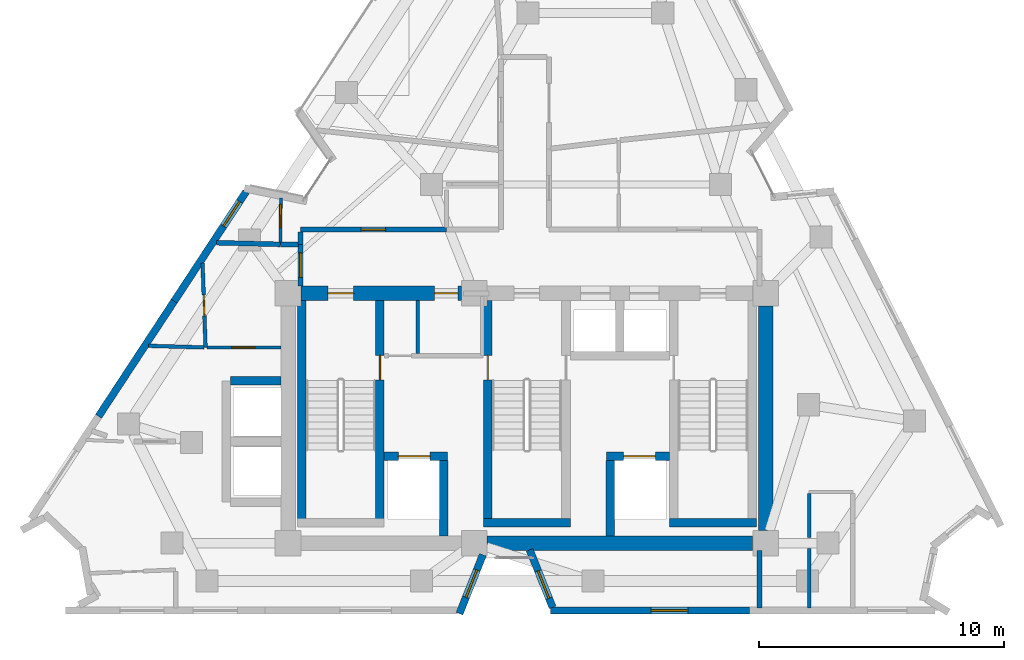
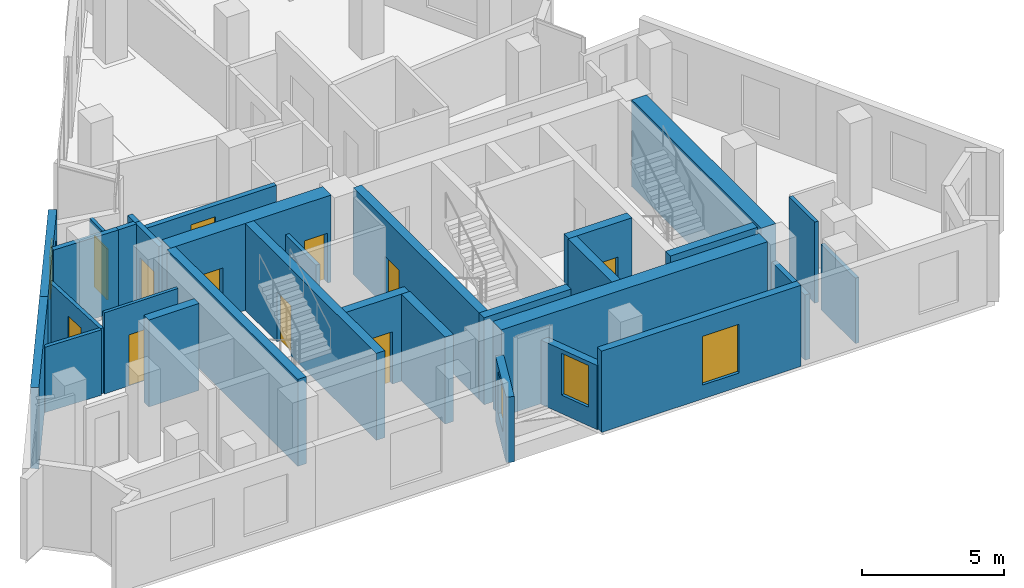
# One storey, part 5 of 8: 31 walls, 11 doors, 4 windows, 15 openings.
"""IFC4 building model written with IfcOpenShell, lengths in metres."""

from ifc_helpers import new_model, si_unit, direction, frame, frame_2d, origin, place, context, subcontext, project, spatial, rectangle, extrude, material, layer, layer_set, type_object, element, fill, save


model = new_model("IFC4")

# Units and contexts
model_context = context("Model", 3, precision=1e-05, world=origin(), true_north=direction((0.0, 1.0)))
body_context = subcontext(model_context, "Body", "Model", "MODEL_VIEW")
ifc_project = project(units=[si_unit("LENGTHUNIT", "METRE"), si_unit("AREAUNIT", "SQUARE_METRE"), si_unit("VOLUMEUNIT", "CUBIC_METRE"), si_unit("PLANEANGLEUNIT", "RADIAN"), si_unit("MASSUNIT", "GRAM", prefix="KILO")], contexts=[model_context])

# Site, building, storey
site_placement = place(None, origin())
site = spatial("IfcSite", under=ifc_project, at=site_placement, CompositionType="ELEMENT")
building_placement = place(site_placement, origin())
building = spatial("IfcBuilding", under=site, at=building_placement, Name="Almagre Mirador Tower", CompositionType="ELEMENT")
storey_placement = place(building_placement, frame((0.0, 0.0, 240.75)))
storey = spatial("IfcBuildingStorey", under=building, at=storey_placement, Name="L62", CompositionType="ELEMENT", Elevation=240.75)

# Wall, opening, window
ifc_material_1 = material(Name="Precast concrete C50/60", Category="concrete")
ifc_layer_1 = layer(ifc_material_1, 0.300048828125)
ifc_layer_set_1 = layer_set([ifc_layer_1], Name="Precast concrete C50/60")
wall_type_1 = type_object("IfcWallType", Name="WAL-EXT-300", PredefinedType="SOLIDWALL", material=ifc_layer_set_1)
wall_1_placement = place(storey_placement, frame((46.39990234375, 1.800048828125, 0.0), z_axis=(0.0, 0.0, 1.0), x_axis=(-1.0, 0.0, 0.0)))
wall_1 = element("IfcWall", 1, at=wall_1_placement, inside=storey, type_object=wall_type_1, Name="L62 expressed almagre precast frame wall 20", PredefinedType="SOLIDWALL", context=body_context, shape_type="SweptSolid", body=[
    extrude(rectangle(XDim=8.139892578125, YDim=0.300048828125, at=frame_2d((4.06982421875, 0.0))), origin(), (0.0, 0.0, 1.0), 3.5),
])
opening_1_placement = place(wall_1_placement, frame((2.52490234375, 0.0, 0.60009765625)))
opening_1 = element("IfcOpeningElement", 2, at=opening_1_placement, cuts=wall_1, Name="Opening WN-03", PredefinedType="OPENING", context=body_context, shape_type="SweptSolid", body=[
    extrude(rectangle(XDim=1.5, YDim=2.10009765625, at=frame_2d((0.75, 1.050048828125))), frame((0.0, 0.159902, 0.0), z_axis=(0.0, -1.0, 0.0), x_axis=(1.0, 0.0, 0.0)), (0.0, 0.0, 1.0), 0.320049),
])
ifc_material_2 = material(Name="Dark solar-control laminated hurricane glass", Category="glass")
window_type_1 = type_object("IfcWindowType", Name="WIN-1500X2100", PartitioningType="DOUBLE_PANEL_VERTICAL", PredefinedType="WINDOW", material=ifc_material_2)
window_1_placement = place(opening_1_placement, origin())
window_1 = element("IfcWindow", 3, at=window_1_placement, inside=storey, type_object=window_type_1, Name="L62 recessed hurricane window L62-UB-KT", OverallHeight=2.10009765625, OverallWidth=1.5, PartitioningType="SINGLE_PANEL", PredefinedType="WINDOW", context=body_context, shape_type="SweptSolid", body=[
    extrude(rectangle(XDim=1.5, YDim=2.10009765625, at=frame_2d((0.75, 1.050048828125))), frame((0.0, 0.030029296875, 0.0), z_axis=(0.0, -1.0, 0.0), x_axis=(1.0, 0.0, 0.0)), (0.0, 0.0, 1.0), 0.06005859375),
])
fill(opening_1, window_1)

wall_2_placement = place(storey_placement, frame((38.35009765625, 1.92529296875, 0.0), z_axis=(0.0, 0.0, 1.0), x_axis=(-0.369457562636, 0.929247603931, 0.0)))
wall_2 = element("IfcWall", 4, at=wall_2_placement, inside=storey, type_object=wall_type_1, Name="L62 expressed almagre precast frame wall 21", PredefinedType="SOLIDWALL", context=body_context, shape_type="SweptSolid", body=[
    extrude(rectangle(XDim=2.52685546875, YDim=0.300048828125, at=frame_2d((1.263427734375, 0.0))), origin(), (0.0, 0.0, 1.0), 2.76904296875),
])
opening_2_placement = place(wall_2_placement, frame((0.39990234375, 0.0, 0.800048828125)))
opening_2 = element("IfcOpeningElement", 5, at=opening_2_placement, cuts=wall_2, Name="Opening WN-04", PredefinedType="OPENING", context=body_context, shape_type="SweptSolid", body=[
    extrude(rectangle(XDim=1.199951171875, YDim=1.800048828125, at=frame_2d((0.60009765625, 0.89990234375))), frame((0.0, 0.159902, 0.0), z_axis=(0.0, -1.0, 0.0), x_axis=(1.0, 0.0, 0.0)), (0.0, 0.0, 1.0), 0.320049),
])
ifc_material_3 = material(Name="Dark solar-control laminated hurricane glass", Category="glass")
window_type_2 = type_object("IfcWindowType", Name="WIN-1200X1800", PartitioningType="SINGLE_PANEL", PredefinedType="WINDOW", material=ifc_material_3)
window_2_placement = place(opening_2_placement, origin())
window_2 = element("IfcWindow", 6, at=window_2_placement, inside=storey, type_object=window_type_2, Name="L62 recessed hurricane window L62-UB-ST", OverallHeight=1.800048828125, OverallWidth=1.199951171875, PartitioningType="SINGLE_PANEL", PredefinedType="WINDOW", context=body_context, shape_type="SweptSolid", body=[
    extrude(rectangle(XDim=1.199951171875, YDim=1.800048828125, at=frame_2d((0.60009765625, 0.89990234375))), frame((0.0, 0.030029296875, 0.0), z_axis=(0.0, -1.0, 0.0), x_axis=(1.0, 0.0, 0.0)), (0.0, 0.0, 1.0), 0.06005859375),
])
fill(opening_2, window_2)

wall_3_placement = place(storey_placement, frame((35.506591796875, 4.080078125, 0.0), z_axis=(0.0, 0.0, 1.0), x_axis=(-0.369458593648, -0.929247194012, 0.0)))
wall_3 = element("IfcWall", 7, at=wall_3_placement, inside=storey, type_object=wall_type_1, Name="L62 expressed almagre precast frame wall 22", PredefinedType="SOLIDWALL", context=body_context, shape_type="SweptSolid", body=[
    extrude(rectangle(XDim=2.59375, YDim=0.300048828125, at=frame_2d((1.296875, 0.0))), origin(), (0.0, 0.0, 1.0), 2.824951171875),
])
opening_3_placement = place(wall_3_placement, frame((0.675048828125, 0.0, 0.800048828125)))
opening_3 = element("IfcOpeningElement", 8, at=opening_3_placement, cuts=wall_3, Name="Opening WN-04", PredefinedType="OPENING", context=body_context, shape_type="SweptSolid", body=[
    extrude(rectangle(XDim=1.199951171875, YDim=1.800048828125, at=frame_2d((0.60009765625, 0.89990234375))), frame((0.0, 0.159902, 0.0), z_axis=(0.0, -1.0, 0.0), x_axis=(1.0, 0.0, 0.0)), (0.0, 0.0, 1.0), 0.320049),
])
window_3_placement = place(opening_3_placement, origin())
window_3 = element("IfcWindow", 9, at=window_3_placement, inside=storey, type_object=window_type_2, Name="L62 recessed hurricane window L62-UB-ST", OverallHeight=1.800048828125, OverallWidth=1.199951171875, PartitioningType="SINGLE_PANEL", PredefinedType="WINDOW", context=body_context, shape_type="SweptSolid", body=[
    extrude(rectangle(XDim=1.199951171875, YDim=1.800048828125, at=frame_2d((0.60009765625, 0.89990234375))), frame((0.0, 0.030029296875, 0.0), z_axis=(0.0, -1.0, 0.0), x_axis=(1.0, 0.0, 0.0)), (0.0, 0.0, 1.0), 0.06005859375),
])
fill(opening_3, window_3)

# Wall
wall_4_placement = place(storey_placement, frame((19.807373046875, 9.72705078125, 0.0), z_axis=(0.0, 0.0, 1.0), x_axis=(0.549047957694, 0.835790847134, 0.0)))
element("IfcWall", 10, at=wall_4_placement, inside=storey, type_object=wall_type_1, Name="L62 expressed almagre precast frame wall 30", PredefinedType="SOLIDWALL", context=body_context, shape_type="SweptSolid", body=[
    extrude(rectangle(XDim=5.62451171875, YDim=0.300048828125, at=frame_2d((2.812255859375, 0.0))), origin(), (0.0, 0.0, 1.0), 3.5),
])

# Wall, opening, window
wall_5_placement = place(storey_placement, frame((22.8955078125, 14.427978515625, 0.0), z_axis=(0.0, 0.0, 1.0), x_axis=(0.549084999381, 0.835766512523, 0.0)))
wall_5 = element("IfcWall", 11, at=wall_5_placement, inside=storey, type_object=wall_type_1, Name="L62 expressed almagre precast frame wall 31", PredefinedType="SOLIDWALL", context=body_context, shape_type="SweptSolid", body=[
    extrude(rectangle(XDim=5.349853515625, YDim=0.300048828125, at=frame_2d((2.6748046875, 0.0))), origin(), (0.0, 0.0, 1.0), 3.5),
])
opening_4_placement = place(wall_5_placement, frame((3.675048828125, 0.0, 0.800048828125)))
opening_4 = element("IfcOpeningElement", 12, at=opening_4_placement, cuts=wall_5, Name="Opening WN-04", PredefinedType="OPENING", context=body_context, shape_type="SweptSolid", body=[
    extrude(rectangle(XDim=1.199951171875, YDim=1.800048828125, at=frame_2d((0.60009765625, 0.89990234375))), frame((0.0, 0.159902, 0.0), z_axis=(0.0, -1.0, 0.0), x_axis=(1.0, 0.0, 0.0)), (0.0, 0.0, 1.0), 0.320049),
])
window_4_placement = place(opening_4_placement, origin())
window_4 = element("IfcWindow", 13, at=window_4_placement, inside=storey, type_object=window_type_2, Name="L62 recessed hurricane window L62-UF-KT", OverallHeight=1.800048828125, OverallWidth=1.199951171875, PartitioningType="SINGLE_PANEL", PredefinedType="WINDOW", context=body_context, shape_type="SweptSolid", body=[
    extrude(rectangle(XDim=1.199951171875, YDim=1.800048828125, at=frame_2d((0.60009765625, 0.89990234375))), frame((0.0, 0.030029296875, 0.0), z_axis=(0.0, -1.0, 0.0), x_axis=(1.0, 0.0, 0.0)), (0.0, 0.0, 1.0), 0.06005859375),
])
fill(opening_4, window_4)

# Wall, opening, door
ifc_material_4 = material(Name="Gypsum acoustic stud partition", Category="other")
ifc_layer_2 = layer(ifc_material_4, 0.125)
ifc_layer_set_2 = layer_set([ifc_layer_2], Name="Gypsum acoustic stud partition")
wall_type_2 = type_object("IfcWallType", Name="WAL-PRT-125-UTL", PredefinedType="PARTITIONING", material=ifc_layer_set_2)
wall_6_placement = place(storey_placement, frame((24.239990234375, 12.5400390625, 0.0), z_axis=(0.0, 0.0, 1.0), x_axis=(1.0, 0.0, 0.0)))
wall_6 = element("IfcWall", 14, at=wall_6_placement, inside=storey, type_object=wall_type_2, Name="L62 interior partition 040", PredefinedType="PARTITIONING", context=body_context, shape_type="SweptSolid", body=[
    extrude(rectangle(XDim=3.010009765625, YDim=0.125, at=frame_2d((1.5048828125, 0.0))), origin(), (0.0, 0.0, 1.0), 3.5),
])
opening_5_placement = place(wall_6_placement, frame((1.0, 0.0, 0.0)))
opening_5 = element("IfcOpeningElement", 15, at=opening_5_placement, cuts=wall_6, Name="Opening UD-01", PredefinedType="OPENING", context=body_context, shape_type="SweptSolid", body=[
    extrude(rectangle(XDim=0.949951171875, YDim=2.199951171875, at=frame_2d((0.47509765625, 1.10009765625))), frame((0.0, 0.0725, 0.0), z_axis=(0.0, -1.0, 0.0), x_axis=(1.0, 0.0, 0.0)), (0.0, 0.0, 1.0), 0.145),
])
ifc_material_5 = material(Name="Solid American walnut timber", Category="wood")
door_type_1 = type_object("IfcDoorType", Name="DOR-UNR-950X2200", OperationType="NOTDEFINED", PredefinedType="DOOR", material=ifc_material_5)
door_1_placement = place(opening_5_placement, origin())
door_1 = element("IfcDoor", 16, at=door_1_placement, inside=storey, type_object=door_type_1, Name="DR-1917 L62 interior door L62-UE-ST to L62-UE-KT", OperationType="SINGLE_SWING_RIGHT", OverallHeight=2.199951171875, OverallWidth=0.949951171875, PredefinedType="DOOR", context=body_context, shape_type="SweptSolid", body=[
    extrude(rectangle(XDim=0.949951171875, YDim=2.199951171875, at=frame_2d((0.47509765625, 1.10009765625))), frame((0.0, 0.02490234375, 0.0), z_axis=(0.0, -1.0, 0.0), x_axis=(1.0, 0.0, 0.0)), (0.0, 0.0, 1.0), 0.050048828125),
])
fill(opening_5, door_1)

wall_7_placement = place(storey_placement, frame((27.25390625, 18.635986328125, 0.0), z_axis=(0.0, 0.0, 1.0), x_axis=(-0.012876795935, -0.999917090626, 0.0)))
wall_7 = element("IfcWall", 17, at=wall_7_placement, inside=storey, type_object=wall_type_2, Name="L62 interior partition 044", PredefinedType="PARTITIONING", context=body_context, shape_type="SweptSolid", body=[
    extrude(rectangle(XDim=1.80126953125, YDim=0.125, at=frame_2d((0.900634765625, 0.0))), origin(), (0.0, 0.0, 1.0), 2.820068359375),
])
opening_6_placement = place(wall_7_placement, frame((0.256591796875, 0.0, 0.0)))
opening_6 = element("IfcOpeningElement", 18, at=opening_6_placement, cuts=wall_7, Name="Opening UD-01", PredefinedType="OPENING", context=body_context, shape_type="SweptSolid", body=[
    extrude(rectangle(XDim=0.949951171875, YDim=2.199951171875, at=frame_2d((0.47509765625, 1.10009765625))), frame((0.0, 0.0725, 0.0), z_axis=(0.0, -1.0, 0.0), x_axis=(1.0, 0.0, 0.0)), (0.0, 0.0, 1.0), 0.145),
])
door_2_placement = place(opening_6_placement, origin())
door_2 = element("IfcDoor", 19, at=door_2_placement, inside=storey, type_object=door_type_1, Name="DR-1920 L62 interior door L62-UF-ST to L62-UF-KT", OperationType="SINGLE_SWING_LEFT", OverallHeight=2.199951171875, OverallWidth=0.949951171875, PredefinedType="DOOR", context=body_context, shape_type="SweptSolid", body=[
    extrude(rectangle(XDim=0.949951171875, YDim=2.199951171875, at=frame_2d((0.47509765625, 1.10009765625))), frame((0.0, 0.02490234375, 0.0), z_axis=(0.0, -1.0, 0.0), x_axis=(1.0, 0.0, 0.0)), (0.0, 0.0, 1.0), 0.050048828125),
])
fill(opening_6, door_2)

# Walls
ifc_material_6 = material(Name="Gypsum acoustic stud partition", Category="other")
ifc_layer_3 = layer(ifc_material_6, 0.14990234375)
ifc_layer_set_3 = layer_set([ifc_layer_3], Name="Gypsum acoustic stud partition")
wall_type_3 = type_object("IfcWallType", Name="WAL-PRT-150-STD", PredefinedType="PARTITIONING", material=ifc_layer_set_3)
wall_8_placement = place(storey_placement, frame((48.830078125, 1.89990234375, 0.0), z_axis=(0.0, 0.0, 1.0), x_axis=(0.0, 1.0, 0.0)))
element("IfcWall", 20, at=wall_8_placement, inside=storey, type_object=wall_type_3, Name="L62 interior partition 031", PredefinedType="PARTITIONING", context=body_context, shape_type="SweptSolid", body=[
    extrude(rectangle(XDim=2.43017578125, YDim=0.14990234375, at=frame_2d((1.215087890625, 0.0))), origin(), (0.0, 0.0, 1.0), 2.820068359375),
])
wall_9_placement = place(storey_placement, frame((48.830078125, 4.77001953125, 0.0), z_axis=(0.0, 0.0, 1.0), x_axis=(0.0, 1.0, 0.0)))
element("IfcWall", 21, at=wall_9_placement, inside=storey, type_object=wall_type_3, Name="L62 interior partition 032", PredefinedType="PARTITIONING", context=body_context, shape_type="SweptSolid", body=[
    extrude(rectangle(XDim=1.8125, YDim=0.14990234375, at=frame_2d((0.90625, 0.0))), origin(), (0.0, 0.0, 1.0), 3.5),
])

# Wall, opening, door
wall_10_placement = place(storey_placement, frame((24.056884765625, 15.98095703125, 0.0), z_axis=(0.0, 0.0, 1.0), x_axis=(0.035737055387, -0.999361227421, 0.0)))
wall_10 = element("IfcWall", 22, at=wall_10_placement, inside=storey, type_object=wall_type_3, Name="L62 interior partition 039", PredefinedType="PARTITIONING", context=body_context, shape_type="SweptSolid", body=[
    extrude(rectangle(XDim=3.443115234375, YDim=0.14990234375, at=frame_2d((1.7216796875, 0.0))), origin(), (0.0, 0.0, 1.0), 2.820068359375),
])
opening_7_placement = place(wall_10_placement, frame((1.299560546875, 0.0, 0.0)))
opening_7 = element("IfcOpeningElement", 23, at=opening_7_placement, cuts=wall_10, Name="Opening UD-04", PredefinedType="OPENING", context=body_context, shape_type="SweptSolid", body=[
    extrude(rectangle(XDim=0.85009765625, YDim=2.10009765625, at=frame_2d((0.425048828125, 1.050048828125))), frame((0.0, 0.084951, 0.0), z_axis=(0.0, -1.0, 0.0), x_axis=(1.0, 0.0, 0.0)), (0.0, 0.0, 1.0), 0.169902),
])
ifc_material_7 = material(Name="Moisture-resistant oak timber", Category="wood")
door_type_2 = type_object("IfcDoorType", Name="DOR-UNR-850X2100", OperationType="NOTDEFINED", PredefinedType="DOOR", material=ifc_material_7)
door_3_placement = place(opening_7_placement, origin())
door_3 = element("IfcDoor", 24, at=door_3_placement, inside=storey, type_object=door_type_2, Name="DR-1918 L62 interior door L62-UE-ST to L62-UE-BT", OperationType="SINGLE_SWING_LEFT", OverallHeight=2.10009765625, OverallWidth=0.85009765625, PredefinedType="DOOR", context=body_context, shape_type="SweptSolid", body=[
    extrude(rectangle(XDim=0.85009765625, YDim=2.10009765625, at=frame_2d((0.425048828125, 1.050048828125))), frame((0.0, 0.02490234375, 0.0), z_axis=(0.0, -1.0, 0.0), x_axis=(1.0, 0.0, 0.0)), (0.0, 0.0, 1.0), 0.050048828125),
])
fill(opening_7, door_3)

# Walls
wall_11_placement = place(storey_placement, frame((21.841064453125, 12.60693359375, 0.0), z_axis=(0.0, 0.0, 1.0), x_axis=(0.999585069317, -0.028804326047, 0.0)))
element("IfcWall", 25, at=wall_11_placement, inside=storey, type_object=wall_type_3, Name="L62 interior partition 043", PredefinedType="PARTITIONING", context=body_context, shape_type="SweptSolid", body=[
    extrude(rectangle(XDim=2.280029296875, YDim=0.14990234375, at=frame_2d((1.14013671875, 0.0))), origin(), (0.0, 0.0, 1.0), 2.820068359375),
])
ifc_material_8 = material(Name="Gypsum acoustic stud partition", Category="other")
ifc_layer_4 = layer(ifc_material_8, 0.199951171875)
ifc_layer_set_4 = layer_set([ifc_layer_4], Name="Gypsum acoustic stud partition")
wall_type_4 = type_object("IfcWallType", Name="WAL-PRT-200-EI60", PredefinedType="PARTITIONING", material=ifc_layer_set_4)
wall_12_placement = place(storey_placement, frame((32.840087890625, 12.284912109375, 0.0), z_axis=(0.0, 0.0, 1.0), x_axis=(0.0, 1.0, 0.0)))
element("IfcWall", 26, at=wall_12_placement, inside=storey, type_object=wall_type_4, Name="L62 core riser west wall", PredefinedType="PARTITIONING", context=body_context, shape_type="SweptSolid", body=[
    extrude(rectangle(XDim=2.18017578125, YDim=0.14990234375, at=frame_2d((1.090087890625, 0.0))), origin(), (0.0, 0.0, 1.0), 2.68505859375),
])

# Wall, opening, door
wall_13_placement = place(storey_placement, frame((28.050048828125, 16.75, 0.0), z_axis=(0.0, 0.0, 1.0), x_axis=(0.0, -1.0, 0.0)))
wall_13 = element("IfcWall", 27, at=wall_13_placement, inside=storey, type_object=wall_type_4, Name="L62 interior partition 001", PredefinedType="PARTITIONING", context=body_context, shape_type="SweptSolid", body=[
    extrude(rectangle(XDim=1.699951171875, YDim=0.199951171875, at=frame_2d((0.85009765625, 0.0))), origin(), (0.0, 0.0, 1.0), 3.5),
])
opening_8_placement = place(wall_13_placement, frame((0.35009765625, 0.0, 0.0)))
opening_8 = element("IfcOpeningElement", 28, at=opening_8_placement, cuts=wall_13, Name="Opening ID-01", PredefinedType="OPENING", context=body_context, shape_type="SweptSolid", body=[
    extrude(rectangle(XDim=1.0, YDim=2.199951171875, at=frame_2d((0.5, 1.10009765625))), frame((0.0, 0.110098, 0.0), z_axis=(0.0, -1.0, 0.0), x_axis=(1.0, 0.0, 0.0)), (0.0, 0.0, 1.0), 0.219951),
])
ifc_material_9 = material(Name="Fire-rated walnut timber", Category="wood")
door_type_3 = type_object("IfcDoorType", Name="DOR-FD60-1000X2200", OperationType="NOTDEFINED", PredefinedType="DOOR", material=ifc_material_9)
door_4_placement = place(opening_8_placement, origin())
door_4 = element("IfcDoor", 29, at=door_4_placement, inside=storey, type_object=door_type_3, Name="DR-1916 L62 interior door L62-RCOR to L62-UE-ST", OperationType="SINGLE_SWING_LEFT", OverallHeight=2.199951171875, OverallWidth=1.0, PredefinedType="DOOR", context=body_context, shape_type="SweptSolid", body=[
    extrude(rectangle(XDim=1.0, YDim=2.199951171875, at=frame_2d((0.5, 1.10009765625))), frame((0.0, 0.02490234375, 0.0), z_axis=(0.0, -1.0, 0.0), x_axis=(1.0, 0.0, 0.0)), (0.0, 0.0, 1.0), 0.050048828125),
])
fill(opening_8, door_4)

wall_14_placement = place(storey_placement, frame((34.02001953125, 17.35009765625, 0.0), z_axis=(0.0, 0.0, 1.0), x_axis=(-1.0, 0.0, 0.0)))
wall_14 = element("IfcWall", 30, at=wall_14_placement, inside=storey, type_object=wall_type_4, Name="L62 interior partition 002", PredefinedType="PARTITIONING", context=body_context, shape_type="SweptSolid", body=[
    extrude(rectangle(XDim=5.969970703125, YDim=0.199951171875, at=frame_2d((2.98486328125, 0.0))), origin(), (0.0, 0.0, 1.0), 2.68505859375),
])
opening_9_placement = place(wall_14_placement, frame((2.485107421875, 0.0, 0.0)))
opening_9 = element("IfcOpeningElement", 31, at=opening_9_placement, cuts=wall_14, Name="Opening ID-01", PredefinedType="OPENING", context=body_context, shape_type="SweptSolid", body=[
    extrude(rectangle(XDim=1.0, YDim=2.199951171875, at=frame_2d((0.5, 1.10009765625))), frame((0.0, 0.110098, 0.0), z_axis=(0.0, -1.0, 0.0), x_axis=(1.0, 0.0, 0.0)), (0.0, 0.0, 1.0), 0.219951),
])
door_5_placement = place(opening_9_placement, origin())
door_5 = element("IfcDoor", 32, at=door_5_placement, inside=storey, type_object=door_type_3, Name="DR-1919 L62 interior door L62-RCOR to L62-UF-ST", OperationType="SINGLE_SWING_RIGHT", OverallHeight=2.199951171875, OverallWidth=1.0, PredefinedType="DOOR", context=body_context, shape_type="SweptSolid", body=[
    extrude(rectangle(XDim=1.0, YDim=2.199951171875, at=frame_2d((0.5, 1.10009765625))), frame((0.0, 0.02490234375, 0.0), z_axis=(0.0, -1.0, 0.0), x_axis=(1.0, 0.0, 0.0)), (0.0, 0.0, 1.0), 0.050048828125),
])
fill(opening_9, door_5)

# Walls
wall_15_placement = place(storey_placement, frame((28.050048828125, 17.264892578125, 0.0), z_axis=(0.0, 0.0, 1.0), x_axis=(0.0, -1.0, 0.0)))
element("IfcWall", 33, at=wall_15_placement, inside=storey, type_object=wall_type_4, Name="L62 interior partition 003", PredefinedType="PARTITIONING", context=body_context, shape_type="SweptSolid", body=[
    extrude(rectangle(XDim=0.514892578125, YDim=0.199951171875, at=frame_2d((0.25732421875, 0.0))), origin(), (0.0, 0.0, 1.0), 3.5),
])
wall_16_placement = place(storey_placement, frame((46.800048828125, 1.89990234375, 0.0), z_axis=(0.0, 0.0, 1.0), x_axis=(0.0, 1.0, 0.0)))
element("IfcWall", 34, at=wall_16_placement, inside=storey, type_object=wall_type_4, Name="L62 interior partition 025", PredefinedType="PARTITIONING", context=body_context, shape_type="SweptSolid", body=[
    extrude(rectangle(XDim=2.35009765625, YDim=0.199951171875, at=frame_2d((1.175048828125, 0.0))), origin(), (0.0, 0.0, 1.0), 2.820068359375),
])
wall_17_placement = place(storey_placement, frame((27.965087890625, 16.75, 0.0), z_axis=(0.0, 0.0, 1.0), x_axis=(-1.0, 0.0, 0.0)))
element("IfcWall", 35, at=wall_17_placement, inside=storey, type_object=wall_type_4, Name="L62 interior partition 041", PredefinedType="PARTITIONING", context=body_context, shape_type="SweptSolid", body=[
    extrude(rectangle(XDim=0.735107421875, YDim=0.199951171875, at=frame_2d((0.36767578125, 0.0))), origin(), (0.0, 0.0, 1.0), 3.5),
])
wall_18_placement = place(storey_placement, frame((27.22998046875, 16.75, 0.0), z_axis=(0.0, 0.0, 1.0), x_axis=(-0.999670938638, 0.025651792207, 0.0)))
element("IfcWall", 36, at=wall_18_placement, inside=storey, type_object=wall_type_4, Name="L62 interior partition 042", PredefinedType="PARTITIONING", context=body_context, shape_type="SweptSolid", body=[
    extrude(rectangle(XDim=2.60791015625, YDim=0.199951171875, at=frame_2d((1.303955078125, 0.0))), origin(), (0.0, 0.0, 1.0), 3.5),
])
ifc_material_10 = material(Name="Concrete C60/75", Category="concrete")
ifc_layer_5 = layer(ifc_material_10, 0.35009765625)
ifc_layer_set_5 = layer_set([ifc_layer_5], Name="Concrete C60/75")
wall_type_5 = type_object("IfcWallType", Name="WAL-SHF-350", PredefinedType="SOLIDWALL", material=ifc_layer_set_5)
wall_19_placement = place(storey_placement, frame((28.10009765625, 5.199951171875, 0.0), z_axis=(0.0, 0.0, 1.0), x_axis=(0.0, 1.0, 0.0)))
element("IfcWall", 37, at=wall_19_placement, inside=storey, type_object=wall_type_5, Name="L62 shaft wall ST1-W", PredefinedType="SOLIDWALL", context=body_context, shape_type="SweptSolid", body=[
    extrude(rectangle(XDim=9.25, YDim=0.35009765625, at=frame_2d((4.625, 0.0))), origin(), (0.0, 0.0, 1.0), 3.75),
])

# Wall, opening, door
wall_20_placement = place(storey_placement, frame((31.300048828125, 5.199951171875, 0.0), z_axis=(0.0, 0.0, 1.0), x_axis=(0.0, 1.0, 0.0)))
wall_20 = element("IfcWall", 38, at=wall_20_placement, inside=storey, type_object=wall_type_5, Name="L62 shaft wall ST1-E", PredefinedType="SOLIDWALL", context=body_context, shape_type="SweptSolid", body=[
    extrude(rectangle(XDim=9.25, YDim=0.35009765625, at=frame_2d((4.625, 0.0))), origin(), (0.0, 0.0, 1.0), 3.75),
])
opening_10_placement = place(wall_20_placement, frame((6.02001953125, 0.0, 0.0)))
opening_10 = element("IfcOpeningElement", 39, at=opening_10_placement, cuts=wall_20, Name="Opening FD-01", PredefinedType="OPENING", context=body_context, shape_type="SweptSolid", body=[
    extrude(rectangle(XDim=1.0, YDim=2.14990234375, at=frame_2d((0.5, 1.074951171875))), frame((0.0, 0.185049, 0.0), z_axis=(0.0, -1.0, 0.0), x_axis=(1.0, 0.0, 0.0)), (0.0, 0.0, 1.0), 0.370098),
])
ifc_material_11 = material(Name="Fire-rated hollow steel", Category="steel")
door_type_4 = type_object("IfcDoorType", Name="DOR-FFL-1000X2150", OperationType="NOTDEFINED", PredefinedType="DOOR", material=ifc_material_11)
door_6_placement = place(opening_10_placement, origin())
door_6 = element("IfcDoor", 40, at=door_6_placement, inside=storey, type_object=door_type_4, Name="DR-1910 L62 FFL1-ST1 smokeproof door", OperationType="SINGLE_SWING_RIGHT", OverallHeight=2.14990234375, OverallWidth=1.0, PredefinedType="DOOR", context=body_context, shape_type="SweptSolid", body=[
    extrude(rectangle(XDim=1.0, YDim=2.14990234375, at=frame_2d((0.5, 1.074951171875))), frame((0.0, 0.02490234375, 0.0), z_axis=(0.0, -1.0, 0.0), x_axis=(1.0, 0.0, 0.0)), (0.0, 0.0, 1.0), 0.050048828125),
])
fill(opening_10, door_6)

wall_21_placement = place(storey_placement, frame((35.699951171875, 5.199951171875, 0.0), z_axis=(0.0, 0.0, 1.0), x_axis=(0.0, 1.0, 0.0)))
wall_21 = element("IfcWall", 41, at=wall_21_placement, inside=storey, type_object=wall_type_5, Name="L62 shaft wall ST2-W", PredefinedType="SOLIDWALL", context=body_context, shape_type="SweptSolid", body=[
    extrude(rectangle(XDim=9.25, YDim=0.35009765625, at=frame_2d((4.625, 0.0))), origin(), (0.0, 0.0, 1.0), 3.75),
])
opening_11_placement = place(wall_21_placement, frame((6.02001953125, 0.0, 0.0)))
opening_11 = element("IfcOpeningElement", 42, at=opening_11_placement, cuts=wall_21, Name="Opening FD-01", PredefinedType="OPENING", context=body_context, shape_type="SweptSolid", body=[
    extrude(rectangle(XDim=1.0, YDim=2.14990234375, at=frame_2d((0.5, 1.074951171875))), frame((0.0, 0.185049, 0.0), z_axis=(0.0, -1.0, 0.0), x_axis=(1.0, 0.0, 0.0)), (0.0, 0.0, 1.0), 0.370098),
])
door_7_placement = place(opening_11_placement, origin())
door_7 = element("IfcDoor", 43, at=door_7_placement, inside=storey, type_object=door_type_4, Name="DR-1911 L62 FFL1-ST2 smokeproof door", OperationType="SINGLE_SWING_LEFT", OverallHeight=2.14990234375, OverallWidth=1.0, PredefinedType="DOOR", context=body_context, shape_type="SweptSolid", body=[
    extrude(rectangle(XDim=1.0, YDim=2.14990234375, at=frame_2d((0.5, 1.074951171875))), frame((0.0, 0.02490234375, 0.0), z_axis=(0.0, -1.0, 0.0), x_axis=(1.0, 0.0, 0.0)), (0.0, 0.0, 1.0), 0.050048828125),
])
fill(opening_11, door_7)

# Walls
for number, where, z_axis, x_axis, name in (
    (44, (35.52490234375, 5.375, 0.0), (0.0, 0.0, 1.0), (1.0, 0.0, 0.0), "L62 shaft wall ST2-S"),
    (45, (43.125, 5.375, 0.0), (0.0, 0.0, 1.0), (1.0, 0.0, 0.0), "L62 shaft wall ST3-S"),
):
    element("IfcWall", number, at=place(storey_placement, frame(where, z_axis=z_axis, x_axis=x_axis)), inside=storey, type_object=wall_type_5, Name=name, PredefinedType="SOLIDWALL", context=body_context, shape_type="SweptSolid", body=[
        extrude(rectangle(XDim=3.550048828125, YDim=0.35009765625, at=frame_2d((1.77490234375, 0.0))), origin(), (0.0, 0.0, 1.0), 3.75),
    ])

# Wall, opening, door
wall_22_placement = place(storey_placement, frame((31.47509765625, 8.10009765625, 0.0), z_axis=(0.0, 0.0, 1.0), x_axis=(1.0, 0.0, 0.0)))
wall_22 = element("IfcWall", 46, at=wall_22_placement, inside=storey, type_object=wall_type_5, Name="L62 shaft wall FSAE1-N", PredefinedType="SOLIDWALL", context=body_context, shape_type="SweptSolid", body=[
    extrude(rectangle(XDim=2.574951171875, YDim=0.35009765625, at=frame_2d((1.28759765625, 0.0))), origin(), (0.0, 0.0, 1.0), 3.75),
])
opening_12_placement = place(wall_22_placement, frame((0.574951171875, 0.0, 0.0)))
opening_12 = element("IfcOpeningElement", 47, at=opening_12_placement, cuts=wall_22, Name="Opening LD-03", PredefinedType="OPENING", context=body_context, shape_type="SweptSolid", body=[
    extrude(rectangle(XDim=1.300048828125, YDim=2.25, at=frame_2d((0.64990234375, 1.125))), frame((0.0, 0.185049, 0.0), z_axis=(0.0, -1.0, 0.0), x_axis=(1.0, 0.0, 0.0)), (0.0, 0.0, 1.0), 0.370098),
])
ifc_material_12 = material(Name="Hollow stainless steel", Category="steel")
door_type_5 = type_object("IfcDoorType", Name="DOR-LD-1300X2250", OperationType="DOUBLE_DOOR_SLIDING", PredefinedType="DOOR", material=ifc_material_12)
door_8_placement = place(opening_12_placement, origin())
door_8 = element("IfcDoor", 48, at=door_8_placement, inside=storey, type_object=door_type_5, Name="DR-1926 L62 FSAE-1 lift landing door", OperationType="DOUBLE_DOOR_SLIDING", OverallHeight=2.25, OverallWidth=1.300048828125, PredefinedType="DOOR", context=body_context, shape_type="SweptSolid", body=[
    extrude(rectangle(XDim=1.300048828125, YDim=2.25, at=frame_2d((0.64990234375, 1.125))), frame((0.0, 0.02490234375, 0.0), z_axis=(0.0, -1.0, 0.0), x_axis=(1.0, 0.0, 0.0)), (0.0, 0.0, 1.0), 0.050048828125),
])
fill(opening_12, door_8)

wall_23_placement = place(storey_placement, frame((40.550048828125, 8.10009765625, 0.0), z_axis=(0.0, 0.0, 1.0), x_axis=(1.0, 0.0, 0.0)))
wall_23 = element("IfcWall", 49, at=wall_23_placement, inside=storey, type_object=wall_type_5, Name="L62 shaft wall FSAE2-N", PredefinedType="SOLIDWALL", context=body_context, shape_type="SweptSolid", body=[
    extrude(rectangle(XDim=2.574951171875, YDim=0.35009765625, at=frame_2d((1.28759765625, 0.0))), origin(), (0.0, 0.0, 1.0), 3.75),
])
opening_13_placement = place(wall_23_placement, frame((0.699951171875, 0.0, 0.0)))
opening_13 = element("IfcOpeningElement", 50, at=opening_13_placement, cuts=wall_23, Name="Opening LD-03", PredefinedType="OPENING", context=body_context, shape_type="SweptSolid", body=[
    extrude(rectangle(XDim=1.300048828125, YDim=2.25, at=frame_2d((0.64990234375, 1.125))), frame((0.0, 0.185049, 0.0), z_axis=(0.0, -1.0, 0.0), x_axis=(1.0, 0.0, 0.0)), (0.0, 0.0, 1.0), 0.370098),
])
door_9_placement = place(opening_13_placement, origin())
door_9 = element("IfcDoor", 51, at=door_9_placement, inside=storey, type_object=door_type_5, Name="DR-1927 L62 FSAE-2 lift landing door", OperationType="DOUBLE_DOOR_SLIDING", OverallHeight=2.25, OverallWidth=1.300048828125, PredefinedType="DOOR", context=body_context, shape_type="SweptSolid", body=[
    extrude(rectangle(XDim=1.300048828125, YDim=2.25, at=frame_2d((0.64990234375, 1.125))), frame((0.0, 0.02490234375, 0.0), z_axis=(0.0, -1.0, 0.0), x_axis=(1.0, 0.0, 0.0)), (0.0, 0.0, 1.0), 0.050048828125),
])
fill(opening_13, door_9)

# Walls
for number, where, z_axis, x_axis, name in (
    (52, (33.89990234375, 4.85009765625, 0.0), (0.0, 0.0, 1.0), (0.0, 1.0, 0.0), "L62 shaft wall FSAE1-E"),
    (53, (40.699951171875, 4.85009765625, 0.0), (0.0, 0.0, 1.0), (0.0, 1.0, 0.0), "L62 shaft wall FSAE2-W"),
):
    element("IfcWall", number, at=place(storey_placement, frame(where, z_axis=z_axis, x_axis=x_axis)), inside=storey, type_object=wall_type_5, Name=name, PredefinedType="SOLIDWALL", context=body_context, shape_type="SweptSolid", body=[
        extrude(rectangle(XDim=3.074951171875, YDim=0.35009765625, at=frame_2d((1.53759765625, 0.0))), origin(), (0.0, 0.0, 1.0), 3.75),
    ])
wall_24_placement = place(storey_placement, frame((25.199951171875, 11.175048828125, 0.0), z_axis=(0.0, 0.0, 1.0), x_axis=(1.0, 0.0, 0.0)))
element("IfcWall", 54, at=wall_24_placement, inside=storey, type_object=wall_type_5, Name="L62 shaft wall OL-N", PredefinedType="SOLIDWALL", context=body_context, shape_type="SweptSolid", body=[
    extrude(rectangle(XDim=2.050048828125, YDim=0.35009765625, at=frame_2d((1.02490234375, 0.0))), origin(), (0.0, 0.0, 1.0), 3.75),
])
ifc_material_13 = material(Name="Concrete C60/75", Category="concrete")
ifc_layer_6 = layer(ifc_material_13, 0.60009765625)
ifc_layer_set_6 = layer_set([ifc_layer_6], Name="Concrete C60/75")
wall_type_6 = type_object("IfcWallType", Name="WAL-SHR-600", PredefinedType="SHEAR", material=ifc_layer_set_6)
wall_25_placement = place(storey_placement, frame((35.675048828125, 4.550048828125, 0.0), z_axis=(0.0, 0.0, 1.0), x_axis=(1.0, 0.0, 0.0)))
element("IfcWall", 55, at=wall_25_placement, inside=storey, type_object=wall_type_6, Name="L62 core shear wall S2", PredefinedType="SHEAR", context=body_context, shape_type="SweptSolid", body=[
    extrude(rectangle(XDim=10.849853515625, YDim=0.60009765625, at=frame_2d((5.4248046875, 0.0))), origin(), (0.0, 0.0, 1.0), 3.75),
])

# Wall, openings, doors
wall_26_placement = place(storey_placement, frame((28.074951171875, 14.75, 0.0), z_axis=(0.0, 0.0, 1.0), x_axis=(1.0, 0.0, 0.0)))
wall_26 = element("IfcWall", 56, at=wall_26_placement, inside=storey, type_object=wall_type_6, Name="L62 core shear wall N1", PredefinedType="SHEAR", context=body_context, shape_type="SweptSolid", body=[
    extrude(rectangle(XDim=6.550048828125, YDim=0.60009765625, at=frame_2d((3.27490234375, 0.0))), origin(), (0.0, 0.0, 1.0), 3.75),
])
opening_14_placement = place(wall_26_placement, frame((1.10009765625, 0.0, 0.0)))
opening_14 = element("IfcOpeningElement", 57, at=opening_14_placement, cuts=wall_26, Name="Opening SD-01", PredefinedType="OPENING", context=body_context, shape_type="SweptSolid", body=[
    extrude(rectangle(XDim=1.050048828125, YDim=2.14990234375, at=frame_2d((0.52490234375, 1.074951171875))), frame((0.0, 0.310049, 0.0), z_axis=(0.0, -1.0, 0.0), x_axis=(1.0, 0.0, 0.0)), (0.0, 0.0, 1.0), 0.620098),
])
opening_15_placement = place(wall_26_placement, frame((5.4599609375, 0.0, 0.0)))
opening_15 = element("IfcOpeningElement", 58, at=opening_15_placement, cuts=wall_26, Name="Opening FD-02", PredefinedType="OPENING", context=body_context, shape_type="SweptSolid", body=[
    extrude(rectangle(XDim=0.949951171875, YDim=2.14990234375, at=frame_2d((0.47509765625, 1.074951171875))), frame((0.0, 0.310049, 0.0), z_axis=(0.0, -1.0, 0.0), x_axis=(1.0, 0.0, 0.0)), (0.0, 0.0, 1.0), 0.620098),
])
ifc_material_14 = material(Name="Fire-rated hollow steel", Category="steel")
door_type_6 = type_object("IfcDoorType", Name="DOR-FD90-950X2150", OperationType="NOTDEFINED", PredefinedType="DOOR", material=ifc_material_14)
door_10_placement = place(opening_15_placement, origin())
door_10 = element("IfcDoor", 59, at=door_10_placement, inside=storey, type_object=door_type_6, Name="DR-1908 L62 core equipment room north door", OperationType="SINGLE_SWING_LEFT", OverallHeight=2.14990234375, OverallWidth=0.949951171875, PredefinedType="DOOR", context=body_context, shape_type="SweptSolid", body=[
    extrude(rectangle(XDim=0.949951171875, YDim=2.14990234375, at=frame_2d((0.47509765625, 1.074951171875))), frame((0.0, 0.02490234375, 0.0), z_axis=(0.0, -1.0, 0.0), x_axis=(1.0, 0.0, 0.0)), (0.0, 0.0, 1.0), 0.050048828125),
])
fill(opening_15, door_10)
ifc_material_15 = material(Name="Fire-rated hollow steel", Category="steel")
door_type_7 = type_object("IfcDoorType", Name="DOR-ST-1050X2150", OperationType="NOTDEFINED", PredefinedType="DOOR", material=ifc_material_15)
door_11_placement = place(opening_14_placement, origin())
door_11 = element("IfcDoor", 60, at=door_11_placement, inside=storey, type_object=door_type_7, Name="DR-1930 L62 protected exit stair ST-1 door", OperationType="SINGLE_SWING_LEFT", OverallHeight=2.14990234375, OverallWidth=1.050048828125, PredefinedType="DOOR", context=body_context, shape_type="SweptSolid", body=[
    extrude(rectangle(XDim=1.050048828125, YDim=2.14990234375, at=frame_2d((0.52490234375, 1.074951171875))), frame((0.0, 0.02490234375, 0.0), z_axis=(0.0, -1.0, 0.0), x_axis=(1.0, 0.0, 0.0)), (0.0, 0.0, 1.0), 0.050048828125),
])
fill(opening_14, door_11)

# Wall
wall_27_placement = place(storey_placement, frame((47.050048828125, 5.074951171875, 0.0), z_axis=(0.0, 0.0, 1.0), x_axis=(0.0, 1.0, 0.0)))
element("IfcWall", 61, at=wall_27_placement, inside=storey, type_object=wall_type_6, Name="L62 core shear wall E1", PredefinedType="SHEAR", context=body_context, shape_type="SweptSolid", body=[
    extrude(rectangle(XDim=9.150146484375, YDim=0.60009765625, at=frame_2d((4.5751953125, 0.0))), origin(), (0.0, 0.0, 1.0), 3.75),
])

save(model, "model.ifc")
